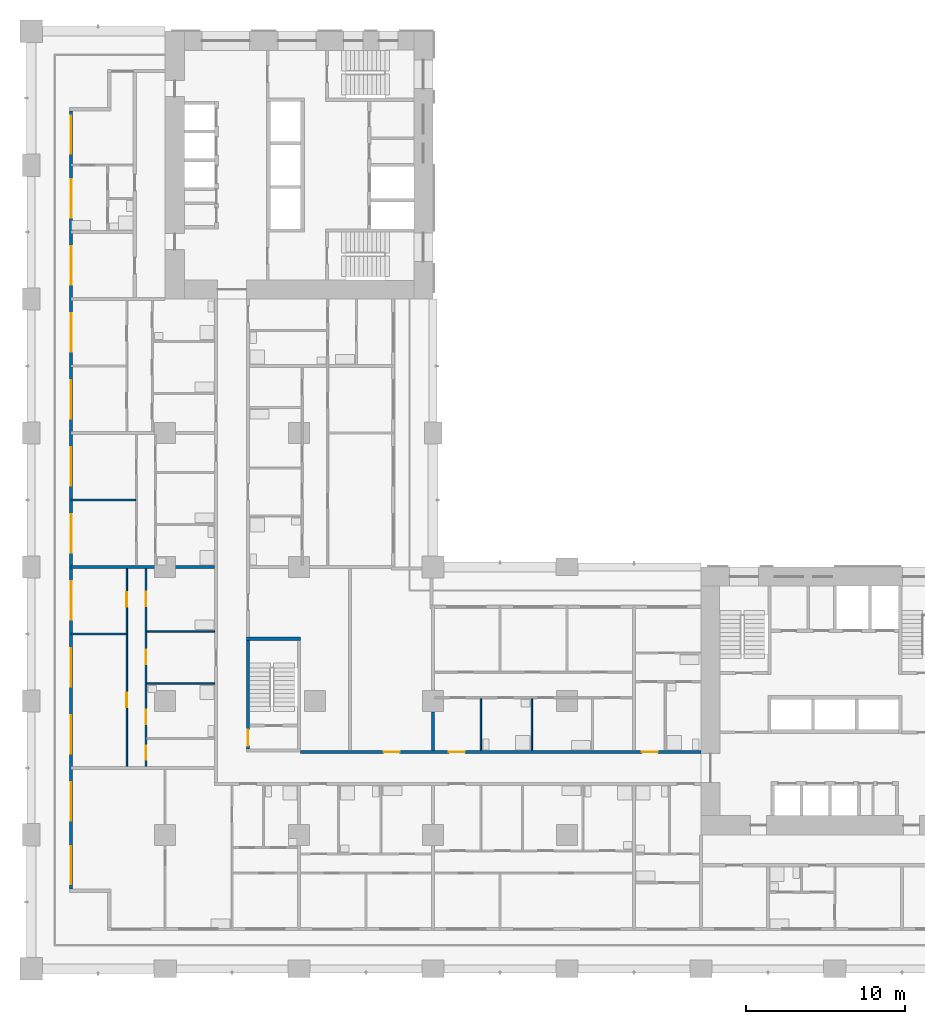
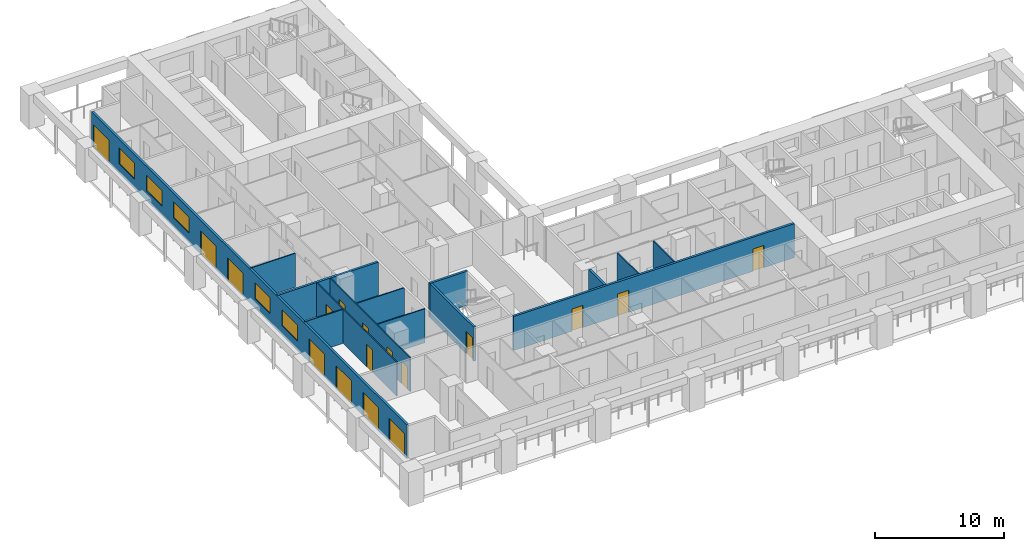
# One storey, part 3 of 19: 17 doors, 14 walls, 5 windows, 22 openings.
"""IFC4 building model written with IfcOpenShell, lengths in metres."""

from ifc_helpers import new_model, si_unit, direction, frame, frame_2d, origin, place, context, subcontext, project, spatial, rectangle, extrude, material, layer, layer_set, type_object, element, fill, save


model = new_model("IFC4")

# Units and contexts
model_context = context("Model", 3, precision=1e-05, world=origin(), true_north=direction((0.0, 1.0)))
body_context = subcontext(model_context, "Body", "Model", "MODEL_VIEW")
ifc_project = project(units=[si_unit("LENGTHUNIT", "METRE"), si_unit("AREAUNIT", "SQUARE_METRE"), si_unit("VOLUMEUNIT", "CUBIC_METRE"), si_unit("PLANEANGLEUNIT", "RADIAN"), si_unit("MASSUNIT", "GRAM", prefix="KILO")], contexts=[model_context])

# Site, building, storey
site_placement = place(None, origin())
site = spatial("IfcSite", under=ifc_project, at=site_placement, CompositionType="ELEMENT")
building_placement = place(site_placement, origin())
building = spatial("IfcBuilding", under=site, at=building_placement, Name="Vermilion Gate Residences", CompositionType="ELEMENT")
storey_placement = place(building_placement, frame((0.0, 0.0, 46.199951171875)))
storey = spatial("IfcBuildingStorey", under=building, at=storey_placement, Name="L10", CompositionType="ELEMENT", Elevation=46.199951171875)

# Wall, openings, doors, windows
ifc_material_1 = material(Name="Insulated steel stud wall with terracotta rainscreen", Category="masonry")
ifc_layer_1 = layer(ifc_material_1, 0.199951171875)
ifc_layer_set_1 = layer_set([ifc_layer_1], Name="EXTERNAL WALL 200 TERRACOTTA RAINSCREEN")
wall_type_1 = type_object("IfcWallType", Name="EXTERNAL WALL 200 TERRACOTTA RAINSCREEN", PredefinedType="SOLIDWALL", material=ifc_layer_set_1)
wall_1_placement = place(storey_placement, frame((2.5, 53.800048828125, 0.0), z_axis=(0.0, 0.0, 1.0), x_axis=(0.0, -1.0, 0.0)))
wall_1 = element("IfcWall", 1, at=wall_1_placement, inside=storey, type_object=wall_type_1, Name="External wall", PredefinedType="SOLIDWALL", context=body_context, shape_type="SweptSolid", body=[
    extrude(rectangle(XDim=48.800048828125, YDim=0.199951171875, at=frame_2d((24.39990234375, 0.0))), origin(), (0.0, 0.0, 1.0), 3.219970703125),
])
opening_1_placement = place(wall_1_placement, frame((46.10009765625, 0.0, 0.0)))
opening_1 = element("IfcOpeningElement", 2, at=opening_1_placement, cuts=wall_1, Name="Opening DE10002", PredefinedType="OPENING", context=body_context, shape_type="SweptSolid", body=[
    extrude(rectangle(XDim=2.39990234375, YDim=2.199951171875, at=frame_2d((1.199951171875, 1.10009765625))), frame((0.0, 0.10986328125, 0.0), z_axis=(0.0, -1.0, 0.0), x_axis=(1.0, 0.0, 0.0)), (0.0, 0.0, 1.0), 0.219970703125),
])
opening_2_placement = place(wall_1_placement, frame((42.10009765625, 0.0, 0.0)))
opening_2 = element("IfcOpeningElement", 3, at=opening_2_placement, cuts=wall_1, Name="Opening DE10003", PredefinedType="OPENING", context=body_context, shape_type="SweptSolid", body=[
    extrude(rectangle(XDim=2.39990234375, YDim=2.199951171875, at=frame_2d((1.199951171875, 1.10009765625))), frame((0.0, 0.10986328125, 0.0), z_axis=(0.0, -1.0, 0.0), x_axis=(1.0, 0.0, 0.0)), (0.0, 0.0, 1.0), 0.219970703125),
])
opening_3_placement = place(wall_1_placement, frame((37.89990234375, 0.0, 0.0)))
opening_3 = element("IfcOpeningElement", 4, at=opening_3_placement, cuts=wall_1, Name="Opening DE10004", PredefinedType="OPENING", context=body_context, shape_type="SweptSolid", body=[
    extrude(rectangle(XDim=2.39990234375, YDim=2.199951171875, at=frame_2d((1.199951171875, 1.10009765625))), frame((0.0, 0.10986328125, 0.0), z_axis=(0.0, -1.0, 0.0), x_axis=(1.0, 0.0, 0.0)), (0.0, 0.0, 1.0), 0.219970703125),
])
opening_4_placement = place(wall_1_placement, frame((33.699951171875, 0.0, 0.0)))
opening_4 = element("IfcOpeningElement", 5, at=opening_4_placement, cuts=wall_1, Name="Opening DE10005", PredefinedType="OPENING", context=body_context, shape_type="SweptSolid", body=[
    extrude(rectangle(XDim=2.39990234375, YDim=2.199951171875, at=frame_2d((1.199951171875, 1.10009765625))), frame((0.0, 0.10986328125, 0.0), z_axis=(0.0, -1.0, 0.0), x_axis=(1.0, 0.0, 0.0)), (0.0, 0.0, 1.0), 0.219970703125),
])
opening_5_placement = place(wall_1_placement, frame((29.5, 0.0, 0.89990234375)))
opening_5 = element("IfcOpeningElement", 6, at=opening_5_placement, cuts=wall_1, Name="Opening WE10006", PredefinedType="OPENING", context=body_context, shape_type="SweptSolid", body=[
    extrude(rectangle(XDim=2.39990234375, YDim=1.5, at=frame_2d((1.199951171875, 0.75))), frame((0.0, 0.10986328125, 0.0), z_axis=(0.0, -1.0, 0.0), x_axis=(1.0, 0.0, 0.0)), (0.0, 0.0, 1.0), 0.219970703125),
])
opening_6_placement = place(wall_1_placement, frame((25.300048828125, 0.0, 0.89990234375)))
opening_6 = element("IfcOpeningElement", 7, at=opening_6_placement, cuts=wall_1, Name="Opening WE10007", PredefinedType="OPENING", context=body_context, shape_type="SweptSolid", body=[
    extrude(rectangle(XDim=2.39990234375, YDim=1.5, at=frame_2d((1.199951171875, 0.75))), frame((0.0, 0.10986328125, 0.0), z_axis=(0.0, -1.0, 0.0), x_axis=(1.0, 0.0, 0.0)), (0.0, 0.0, 1.0), 0.219970703125),
])
opening_7_placement = place(wall_1_placement, frame((21.10009765625, 0.0, 0.0)))
opening_7 = element("IfcOpeningElement", 8, at=opening_7_placement, cuts=wall_1, Name="Opening DE10008", PredefinedType="OPENING", context=body_context, shape_type="SweptSolid", body=[
    extrude(rectangle(XDim=2.39990234375, YDim=2.199951171875, at=frame_2d((1.199951171875, 1.10009765625))), frame((0.0, 0.10986328125, 0.0), z_axis=(0.0, -1.0, 0.0), x_axis=(1.0, 0.0, 0.0)), (0.0, 0.0, 1.0), 0.219970703125),
])
opening_8_placement = place(wall_1_placement, frame((16.89990234375, 0.0, 0.0)))
opening_8 = element("IfcOpeningElement", 9, at=opening_8_placement, cuts=wall_1, Name="Opening DE10009", PredefinedType="OPENING", context=body_context, shape_type="SweptSolid", body=[
    extrude(rectangle(XDim=2.39990234375, YDim=2.199951171875, at=frame_2d((1.199951171875, 1.10009765625))), frame((0.0, 0.10986328125, 0.0), z_axis=(0.0, -1.0, 0.0), x_axis=(1.0, 0.0, 0.0)), (0.0, 0.0, 1.0), 0.219970703125),
])
opening_9_placement = place(wall_1_placement, frame((12.699951171875, 0.0, 0.89990234375)))
opening_9 = element("IfcOpeningElement", 10, at=opening_9_placement, cuts=wall_1, Name="Opening WE10010", PredefinedType="OPENING", context=body_context, shape_type="SweptSolid", body=[
    extrude(rectangle(XDim=2.39990234375, YDim=1.5, at=frame_2d((1.199951171875, 0.75))), frame((0.0, 0.10986328125, 0.0), z_axis=(0.0, -1.0, 0.0), x_axis=(1.0, 0.0, 0.0)), (0.0, 0.0, 1.0), 0.219970703125),
])
opening_10_placement = place(wall_1_placement, frame((8.5, 0.0, 0.89990234375)))
opening_10 = element("IfcOpeningElement", 11, at=opening_10_placement, cuts=wall_1, Name="Opening WE10011", PredefinedType="OPENING", context=body_context, shape_type="SweptSolid", body=[
    extrude(rectangle(XDim=2.39990234375, YDim=1.5, at=frame_2d((1.199951171875, 0.75))), frame((0.0, 0.10986328125, 0.0), z_axis=(0.0, -1.0, 0.0), x_axis=(1.0, 0.0, 0.0)), (0.0, 0.0, 1.0), 0.219970703125),
])
opening_11_placement = place(wall_1_placement, frame((4.300048828125, 0.0, 0.89990234375)))
opening_11 = element("IfcOpeningElement", 12, at=opening_11_placement, cuts=wall_1, Name="Opening WE10012", PredefinedType="OPENING", context=body_context, shape_type="SweptSolid", body=[
    extrude(rectangle(XDim=2.39990234375, YDim=1.5, at=frame_2d((1.199951171875, 0.75))), frame((0.0, 0.10986328125, 0.0), z_axis=(0.0, -1.0, 0.0), x_axis=(1.0, 0.0, 0.0)), (0.0, 0.0, 1.0), 0.219970703125),
])
opening_12_placement = place(wall_1_placement, frame((0.300048828125, 0.0, 0.0)))
opening_12 = element("IfcOpeningElement", 13, at=opening_12_placement, cuts=wall_1, Name="Opening DE10013", PredefinedType="OPENING", context=body_context, shape_type="SweptSolid", body=[
    extrude(rectangle(XDim=2.39990234375, YDim=2.199951171875, at=frame_2d((1.199951171875, 1.10009765625))), frame((0.0, 0.10986328125, 0.0), z_axis=(0.0, -1.0, 0.0), x_axis=(1.0, 0.0, 0.0)), (0.0, 0.0, 1.0), 0.219970703125),
])
ifc_material_2 = material(Name="Aluminium and clear glass", Category="aluminium")
door_type_1 = type_object("IfcDoorType", Name="SLIDING GLAZED DOOR 2400 X 2200", OperationType="DOUBLE_DOOR_SLIDING", PredefinedType="DOOR", material=ifc_material_2)
door_1_placement = place(opening_1_placement, origin())
door_1 = element("IfcDoor", 14, at=door_1_placement, inside=storey, type_object=door_type_1, Name="Loggia sliding door", OperationType="DOUBLE_DOOR_SLIDING", OverallHeight=2.199951171875, OverallWidth=2.39990234375, PredefinedType="DOOR", context=body_context, shape_type="SweptSolid", body=[
    extrude(rectangle(XDim=2.39990234375, YDim=2.199951171875, at=frame_2d((1.199951171875, 1.10009765625))), frame((0.0, 0.02490234375, 0.0), z_axis=(0.0, -1.0, 0.0), x_axis=(1.0, 0.0, 0.0)), (0.0, 0.0, 1.0), 0.050048828125),
])
fill(opening_1, door_1)
door_2_placement = place(opening_2_placement, origin())
door_2 = element("IfcDoor", 15, at=door_2_placement, inside=storey, type_object=door_type_1, Name="Loggia sliding door", OperationType="DOUBLE_DOOR_SLIDING", OverallHeight=2.199951171875, OverallWidth=2.39990234375, PredefinedType="DOOR", context=body_context, shape_type="SweptSolid", body=[
    extrude(rectangle(XDim=2.39990234375, YDim=2.199951171875, at=frame_2d((1.199951171875, 1.10009765625))), frame((0.0, 0.02490234375, 0.0), z_axis=(0.0, -1.0, 0.0), x_axis=(1.0, 0.0, 0.0)), (0.0, 0.0, 1.0), 0.050048828125),
])
fill(opening_2, door_2)
door_3_placement = place(opening_3_placement, origin())
door_3 = element("IfcDoor", 16, at=door_3_placement, inside=storey, type_object=door_type_1, Name="Loggia sliding door", OperationType="DOUBLE_DOOR_SLIDING", OverallHeight=2.199951171875, OverallWidth=2.39990234375, PredefinedType="DOOR", context=body_context, shape_type="SweptSolid", body=[
    extrude(rectangle(XDim=2.39990234375, YDim=2.199951171875, at=frame_2d((1.199951171875, 1.10009765625))), frame((0.0, 0.02490234375, 0.0), z_axis=(0.0, -1.0, 0.0), x_axis=(1.0, 0.0, 0.0)), (0.0, 0.0, 1.0), 0.050048828125),
])
fill(opening_3, door_3)
door_4_placement = place(opening_4_placement, origin())
door_4 = element("IfcDoor", 17, at=door_4_placement, inside=storey, type_object=door_type_1, Name="Loggia sliding door", OperationType="DOUBLE_DOOR_SLIDING", OverallHeight=2.199951171875, OverallWidth=2.39990234375, PredefinedType="DOOR", context=body_context, shape_type="SweptSolid", body=[
    extrude(rectangle(XDim=2.39990234375, YDim=2.199951171875, at=frame_2d((1.199951171875, 1.10009765625))), frame((0.0, 0.02490234375, 0.0), z_axis=(0.0, -1.0, 0.0), x_axis=(1.0, 0.0, 0.0)), (0.0, 0.0, 1.0), 0.050048828125),
])
fill(opening_4, door_4)
door_5_placement = place(opening_7_placement, origin())
door_5 = element("IfcDoor", 18, at=door_5_placement, inside=storey, type_object=door_type_1, Name="Loggia sliding door", OperationType="DOUBLE_DOOR_SLIDING", OverallHeight=2.199951171875, OverallWidth=2.39990234375, PredefinedType="DOOR", context=body_context, shape_type="SweptSolid", body=[
    extrude(rectangle(XDim=2.39990234375, YDim=2.199951171875, at=frame_2d((1.199951171875, 1.10009765625))), frame((0.0, 0.02490234375, 0.0), z_axis=(0.0, -1.0, 0.0), x_axis=(1.0, 0.0, 0.0)), (0.0, 0.0, 1.0), 0.050048828125),
])
fill(opening_7, door_5)
door_6_placement = place(opening_8_placement, origin())
door_6 = element("IfcDoor", 19, at=door_6_placement, inside=storey, type_object=door_type_1, Name="Loggia sliding door", OperationType="DOUBLE_DOOR_SLIDING", OverallHeight=2.199951171875, OverallWidth=2.39990234375, PredefinedType="DOOR", context=body_context, shape_type="SweptSolid", body=[
    extrude(rectangle(XDim=2.39990234375, YDim=2.199951171875, at=frame_2d((1.199951171875, 1.10009765625))), frame((0.0, 0.02490234375, 0.0), z_axis=(0.0, -1.0, 0.0), x_axis=(1.0, 0.0, 0.0)), (0.0, 0.0, 1.0), 0.050048828125),
])
fill(opening_8, door_6)
door_7_placement = place(opening_12_placement, origin())
door_7 = element("IfcDoor", 20, at=door_7_placement, inside=storey, type_object=door_type_1, Name="Loggia sliding door", OperationType="DOUBLE_DOOR_SLIDING", OverallHeight=2.199951171875, OverallWidth=2.39990234375, PredefinedType="DOOR", context=body_context, shape_type="SweptSolid", body=[
    extrude(rectangle(XDim=2.39990234375, YDim=2.199951171875, at=frame_2d((1.199951171875, 1.10009765625))), frame((0.0, 0.02490234375, 0.0), z_axis=(0.0, -1.0, 0.0), x_axis=(1.0, 0.0, 0.0)), (0.0, 0.0, 1.0), 0.050048828125),
])
fill(opening_12, door_7)
ifc_material_3 = material(Name="Aluminium and clear glass", Category="aluminium")
window_type = type_object("IfcWindowType", Name="WINDOW 2400 X 1500", PartitioningType="SINGLE_PANEL", PredefinedType="WINDOW", material=ifc_material_3)
window_1_placement = place(opening_5_placement, origin())
window_1 = element("IfcWindow", 21, at=window_1_placement, inside=storey, type_object=window_type, Name="Window", OverallHeight=1.5, OverallWidth=2.39990234375, PartitioningType="SINGLE_PANEL", PredefinedType="WINDOW", context=body_context, shape_type="SweptSolid", body=[
    extrude(rectangle(XDim=2.39990234375, YDim=1.5, at=frame_2d((1.199951171875, 0.75))), frame((0.0, 0.030029296875, 0.0), z_axis=(0.0, -1.0, 0.0), x_axis=(1.0, 0.0, 0.0)), (0.0, 0.0, 1.0), 0.06005859375),
])
fill(opening_5, window_1)
window_2_placement = place(opening_6_placement, origin())
window_2 = element("IfcWindow", 22, at=window_2_placement, inside=storey, type_object=window_type, Name="Window", OverallHeight=1.5, OverallWidth=2.39990234375, PartitioningType="SINGLE_PANEL", PredefinedType="WINDOW", context=body_context, shape_type="SweptSolid", body=[
    extrude(rectangle(XDim=2.39990234375, YDim=1.5, at=frame_2d((1.199951171875, 0.75))), frame((0.0, 0.030029296875, 0.0), z_axis=(0.0, -1.0, 0.0), x_axis=(1.0, 0.0, 0.0)), (0.0, 0.0, 1.0), 0.06005859375),
])
fill(opening_6, window_2)
window_3_placement = place(opening_9_placement, origin())
window_3 = element("IfcWindow", 23, at=window_3_placement, inside=storey, type_object=window_type, Name="Window", OverallHeight=1.5, OverallWidth=2.39990234375, PartitioningType="SINGLE_PANEL", PredefinedType="WINDOW", context=body_context, shape_type="SweptSolid", body=[
    extrude(rectangle(XDim=2.39990234375, YDim=1.5, at=frame_2d((1.199951171875, 0.75))), frame((0.0, 0.030029296875, 0.0), z_axis=(0.0, -1.0, 0.0), x_axis=(1.0, 0.0, 0.0)), (0.0, 0.0, 1.0), 0.06005859375),
])
fill(opening_9, window_3)
window_4_placement = place(opening_10_placement, origin())
window_4 = element("IfcWindow", 24, at=window_4_placement, inside=storey, type_object=window_type, Name="Window", OverallHeight=1.5, OverallWidth=2.39990234375, PartitioningType="SINGLE_PANEL", PredefinedType="WINDOW", context=body_context, shape_type="SweptSolid", body=[
    extrude(rectangle(XDim=2.39990234375, YDim=1.5, at=frame_2d((1.199951171875, 0.75))), frame((0.0, 0.030029296875, 0.0), z_axis=(0.0, -1.0, 0.0), x_axis=(1.0, 0.0, 0.0)), (0.0, 0.0, 1.0), 0.06005859375),
])
fill(opening_10, window_4)
window_5_placement = place(opening_11_placement, origin())
window_5 = element("IfcWindow", 25, at=window_5_placement, inside=storey, type_object=window_type, Name="Window", OverallHeight=1.5, OverallWidth=2.39990234375, PartitioningType="SINGLE_PANEL", PredefinedType="WINDOW", context=body_context, shape_type="SweptSolid", body=[
    extrude(rectangle(XDim=2.39990234375, YDim=1.5, at=frame_2d((1.199951171875, 0.75))), frame((0.0, 0.030029296875, 0.0), z_axis=(0.0, -1.0, 0.0), x_axis=(1.0, 0.0, 0.0)), (0.0, 0.0, 1.0), 0.06005859375),
])
fill(opening_11, window_5)

# Walls
ifc_material_4 = material(Name="Plasterboard on steel studs", Category="steel")
ifc_layer_2 = layer(ifc_material_4, 0.10009765625)
ifc_layer_set_2 = layer_set([ifc_layer_2], Name="PARTITION 100")
wall_type_2 = type_object("IfcWallType", Name="PARTITION 100", PredefinedType="PARTITIONING", material=ifc_layer_set_2)
wall_2_placement = place(storey_placement, frame((7.25, 17.89990234375, 0.0), z_axis=(0.0, 0.0, 1.0), x_axis=(1.0, 0.0, 0.0)))
element("IfcWall", 26, at=wall_2_placement, inside=storey, type_object=wall_type_2, Name="Partition", PredefinedType="PARTITIONING", context=body_context, shape_type="SweptSolid", body=[
    extrude(rectangle(XDim=4.25, YDim=0.10009765625, at=frame_2d((2.125, 0.0))), origin(), (0.0, 0.0, 1.0), 3.219970703125),
])
wall_3_placement = place(storey_placement, frame((2.5, 21.0, 0.0), z_axis=(0.0, 0.0, 1.0), x_axis=(1.0, 0.0, 0.0)))
element("IfcWall", 27, at=wall_3_placement, inside=storey, type_object=wall_type_2, Name="Partition", PredefinedType="PARTITIONING", context=body_context, shape_type="SweptSolid", body=[
    extrude(rectangle(XDim=3.449951171875, YDim=0.10009765625, at=frame_2d((1.72509765625, 0.0))), origin(), (0.0, 0.0, 1.0), 3.219970703125),
])
wall_4_placement = place(storey_placement, frame((7.25, 21.14990234375, 0.0), z_axis=(0.0, 0.0, 1.0), x_axis=(1.0, 0.0, 0.0)))
element("IfcWall", 28, at=wall_4_placement, inside=storey, type_object=wall_type_2, Name="Partition", PredefinedType="PARTITIONING", context=body_context, shape_type="SweptSolid", body=[
    extrude(rectangle(XDim=4.25, YDim=0.10009765625, at=frame_2d((2.125, 0.0))), origin(), (0.0, 0.0, 1.0), 3.219970703125),
])
wall_5_placement = place(storey_placement, frame((2.5, 29.39990234375, 0.0), z_axis=(0.0, 0.0, 1.0), x_axis=(1.0, 0.0, 0.0)))
element("IfcWall", 29, at=wall_5_placement, inside=storey, type_object=wall_type_2, Name="Partition", PredefinedType="PARTITIONING", context=body_context, shape_type="SweptSolid", body=[
    extrude(rectangle(XDim=4.050048828125, YDim=0.10009765625, at=frame_2d((2.02490234375, 0.0))), origin(), (0.0, 0.0, 1.0), 3.219970703125),
])

# Wall, openings, doors
wall_6_placement = place(storey_placement, frame((6.0, 12.699951171875, 0.0), z_axis=(0.0, 0.0, 1.0), x_axis=(0.0, 1.0, 0.0)))
wall_6 = element("IfcWall", 30, at=wall_6_placement, inside=storey, type_object=wall_type_2, Name="Partition", PredefinedType="PARTITIONING", context=body_context, shape_type="SweptSolid", body=[
    extrude(rectangle(XDim=12.400146484375, YDim=0.10009765625, at=frame_2d((6.2001953125, 0.0))), origin(), (0.0, 0.0, 1.0), 3.219970703125),
])
opening_13_placement = place(wall_6_placement, frame((3.699951171875, 0.0, 0.0)))
opening_13 = element("IfcOpeningElement", 31, at=opening_13_placement, cuts=wall_6, Name="Opening DA10045", PredefinedType="OPENING", context=body_context, shape_type="SweptSolid", body=[
    extrude(rectangle(XDim=0.89990234375, YDim=2.10009765625, at=frame_2d((0.449951171875, 1.050048828125))), frame((0.0, 0.06005859375, 0.0), z_axis=(0.0, -1.0, 0.0), x_axis=(1.0, 0.0, 0.0)), (0.0, 0.0, 1.0), 0.1201171875),
])
opening_14_placement = place(wall_6_placement, frame((10.0, 0.0, 0.0)))
opening_14 = element("IfcOpeningElement", 32, at=opening_14_placement, cuts=wall_6, Name="Opening DA10046", PredefinedType="OPENING", context=body_context, shape_type="SweptSolid", body=[
    extrude(rectangle(XDim=0.89990234375, YDim=2.10009765625, at=frame_2d((0.449951171875, 1.050048828125))), frame((0.0, 0.06005859375, 0.0), z_axis=(0.0, -1.0, 0.0), x_axis=(1.0, 0.0, 0.0)), (0.0, 0.0, 1.0), 0.1201171875),
])
ifc_material_5 = material(Name="Timber", Category="wood")
door_type_2 = type_object("IfcDoorType", Name="INTERIOR DOOR 900 X 2100", OperationType="SINGLE_SWING_LEFT", PredefinedType="DOOR", material=ifc_material_5)
door_8_placement = place(opening_13_placement, origin())
door_8 = element("IfcDoor", 33, at=door_8_placement, inside=storey, type_object=door_type_2, Name="Interior door", OperationType="SINGLE_SWING_LEFT", OverallHeight=2.10009765625, OverallWidth=0.89990234375, PredefinedType="DOOR", context=body_context, shape_type="SweptSolid", body=[
    extrude(rectangle(XDim=0.89990234375, YDim=2.10009765625, at=frame_2d((0.449951171875, 1.050048828125))), frame((0.0, 0.02490234375, 0.0), z_axis=(0.0, -1.0, 0.0), x_axis=(1.0, 0.0, 0.0)), (0.0, 0.0, 1.0), 0.050048828125),
])
fill(opening_13, door_8)
door_9_placement = place(opening_14_placement, origin())
door_9 = element("IfcDoor", 34, at=door_9_placement, inside=storey, type_object=door_type_2, Name="Interior door", OperationType="SINGLE_SWING_RIGHT", OverallHeight=2.10009765625, OverallWidth=0.89990234375, PredefinedType="DOOR", context=body_context, shape_type="SweptSolid", body=[
    extrude(rectangle(XDim=0.89990234375, YDim=2.10009765625, at=frame_2d((0.449951171875, 1.050048828125))), frame((0.0, 0.02490234375, 0.0), z_axis=(0.0, -1.0, 0.0), x_axis=(1.0, 0.0, 0.0)), (0.0, 0.0, 1.0), 0.050048828125),
])
fill(opening_14, door_9)

wall_7_placement = place(storey_placement, frame((7.199951171875, 12.699951171875, 0.0), z_axis=(0.0, 0.0, 1.0), x_axis=(0.0, 1.0, 0.0)))
wall_7 = element("IfcWall", 35, at=wall_7_placement, inside=storey, type_object=wall_type_2, Name="Partition", PredefinedType="PARTITIONING", context=body_context, shape_type="SweptSolid", body=[
    extrude(rectangle(XDim=12.400146484375, YDim=0.10009765625, at=frame_2d((6.2001953125, 0.0))), origin(), (0.0, 0.0, 1.0), 3.219970703125),
])
opening_15_placement = place(wall_7_placement, frame((6.39990234375, 0.0, 0.0)))
opening_15 = element("IfcOpeningElement", 36, at=opening_15_placement, cuts=wall_7, Name="Opening DA10053", PredefinedType="OPENING", context=body_context, shape_type="SweptSolid", body=[
    extrude(rectangle(XDim=0.89990234375, YDim=2.10009765625, at=frame_2d((0.449951171875, 1.050048828125))), frame((0.0, 0.06005859375, 0.0), z_axis=(0.0, -1.0, 0.0), x_axis=(1.0, 0.0, 0.0)), (0.0, 0.0, 1.0), 0.1201171875),
])
opening_16_placement = place(wall_7_placement, frame((0.39990234375, 0.0, 0.0)))
opening_16 = element("IfcOpeningElement", 37, at=opening_16_placement, cuts=wall_7, Name="Opening DA10054", PredefinedType="OPENING", context=body_context, shape_type="SweptSolid", body=[
    extrude(rectangle(XDim=0.89990234375, YDim=2.10009765625, at=frame_2d((0.449951171875, 1.050048828125))), frame((0.0, 0.06005859375, 0.0), z_axis=(0.0, -1.0, 0.0), x_axis=(1.0, 0.0, 0.0)), (0.0, 0.0, 1.0), 0.1201171875),
])
opening_17_placement = place(wall_7_placement, frame((2.64990234375, 0.0, 0.0)))
opening_17 = element("IfcOpeningElement", 38, at=opening_17_placement, cuts=wall_7, Name="Opening DA10055", PredefinedType="OPENING", context=body_context, shape_type="SweptSolid", body=[
    extrude(rectangle(XDim=0.89990234375, YDim=2.10009765625, at=frame_2d((0.449951171875, 1.050048828125))), frame((0.0, 0.06005859375, 0.0), z_axis=(0.0, -1.0, 0.0), x_axis=(1.0, 0.0, 0.0)), (0.0, 0.0, 1.0), 0.1201171875),
])
opening_18_placement = place(wall_7_placement, frame((10.050048828125, 0.0, 0.0)))
opening_18 = element("IfcOpeningElement", 39, at=opening_18_placement, cuts=wall_7, Name="Opening DA10056", PredefinedType="OPENING", context=body_context, shape_type="SweptSolid", body=[
    extrude(rectangle(XDim=0.89990234375, YDim=2.10009765625, at=frame_2d((0.449951171875, 1.050048828125))), frame((0.0, 0.06005859375, 0.0), z_axis=(0.0, -1.0, 0.0), x_axis=(1.0, 0.0, 0.0)), (0.0, 0.0, 1.0), 0.1201171875),
])
door_10_placement = place(opening_15_placement, frame((0.89990234375, 0.0, 0.0), z_axis=(0.0, 0.0, 1.0), x_axis=(-1.0, 0.0, 0.0)))
door_10 = element("IfcDoor", 40, at=door_10_placement, inside=storey, type_object=door_type_2, Name="Interior door", OperationType="SINGLE_SWING_LEFT", OverallHeight=2.10009765625, OverallWidth=0.89990234375, PredefinedType="DOOR", context=body_context, shape_type="SweptSolid", body=[
    extrude(rectangle(XDim=0.89990234375, YDim=2.10009765625, at=frame_2d((0.449951171875, 1.050048828125))), frame((0.0, 0.02490234375, 0.0), z_axis=(0.0, -1.0, 0.0), x_axis=(1.0, 0.0, 0.0)), (0.0, 0.0, 1.0), 0.050048828125),
])
fill(opening_15, door_10)
door_11_placement = place(opening_16_placement, frame((0.89990234375, 0.0, 0.0), z_axis=(0.0, 0.0, 1.0), x_axis=(-1.0, 0.0, 0.0)))
door_11 = element("IfcDoor", 41, at=door_11_placement, inside=storey, type_object=door_type_2, Name="Interior door", OperationType="SINGLE_SWING_LEFT", OverallHeight=2.10009765625, OverallWidth=0.89990234375, PredefinedType="DOOR", context=body_context, shape_type="SweptSolid", body=[
    extrude(rectangle(XDim=0.89990234375, YDim=2.10009765625, at=frame_2d((0.449951171875, 1.050048828125))), frame((0.0, 0.02490234375, 0.0), z_axis=(0.0, -1.0, 0.0), x_axis=(1.0, 0.0, 0.0)), (0.0, 0.0, 1.0), 0.050048828125),
])
fill(opening_16, door_11)
door_12_placement = place(opening_17_placement, frame((0.89990234375, 0.0, 0.0), z_axis=(0.0, 0.0, 1.0), x_axis=(-1.0, 0.0, 0.0)))
door_12 = element("IfcDoor", 42, at=door_12_placement, inside=storey, type_object=door_type_2, Name="Interior door", OperationType="SINGLE_SWING_RIGHT", OverallHeight=2.10009765625, OverallWidth=0.89990234375, PredefinedType="DOOR", context=body_context, shape_type="SweptSolid", body=[
    extrude(rectangle(XDim=0.89990234375, YDim=2.10009765625, at=frame_2d((0.449951171875, 1.050048828125))), frame((0.0, 0.02490234375, 0.0), z_axis=(0.0, -1.0, 0.0), x_axis=(1.0, 0.0, 0.0)), (0.0, 0.0, 1.0), 0.050048828125),
])
fill(opening_17, door_12)
door_13_placement = place(opening_18_placement, frame((0.89990234375, 0.0, 0.0), z_axis=(0.0, 0.0, 1.0), x_axis=(-1.0, 0.0, 0.0)))
door_13 = element("IfcDoor", 43, at=door_13_placement, inside=storey, type_object=door_type_2, Name="Interior door", OperationType="SINGLE_SWING_LEFT", OverallHeight=2.10009765625, OverallWidth=0.89990234375, PredefinedType="DOOR", context=body_context, shape_type="SweptSolid", body=[
    extrude(rectangle(XDim=0.89990234375, YDim=2.10009765625, at=frame_2d((0.449951171875, 1.050048828125))), frame((0.0, 0.02490234375, 0.0), z_axis=(0.0, -1.0, 0.0), x_axis=(1.0, 0.0, 0.0)), (0.0, 0.0, 1.0), 0.050048828125),
])
fill(opening_18, door_13)

# Walls
for number, where, z_axis, x_axis, name in (
    (44, (28.199951171875, 13.699951171875, 0.0), (0.0, 0.0, 1.0), (0.0, 1.0, 0.0), "Partition"),
    (45, (31.39990234375, 13.699951171875, 0.0), (0.0, 0.0, 1.0), (0.0, 1.0, 0.0), "Partition"),
):
    element("IfcWall", number, at=place(storey_placement, frame(where, z_axis=z_axis, x_axis=x_axis)), inside=storey, type_object=wall_type_2, Name=name, PredefinedType="PARTITIONING", context=body_context, shape_type="SweptSolid", body=[
        extrude(rectangle(XDim=3.25, YDim=0.10009765625, at=frame_2d((1.625, 0.0))), origin(), (0.0, 0.0, 1.0), 3.219970703125),
    ])

# Wall, openings, doors
ifc_material_6 = material(Name="Fire-rated plasterboard on steel studs", Category="steel")
ifc_layer_3 = layer(ifc_material_6, 0.199951171875)
ifc_layer_set_3 = layer_set([ifc_layer_3], Name="PARTY WALL 200 EI 120")
wall_type_3 = type_object("IfcWallType", Name="PARTY WALL 200 EI 120", PredefinedType="PARTITIONING", material=ifc_layer_set_3)
wall_8_placement = place(storey_placement, frame((16.89990234375, 13.60009765625, 0.0), z_axis=(0.0, 0.0, 1.0), x_axis=(1.0, 0.0, 0.0)))
wall_8 = element("IfcWall", 46, at=wall_8_placement, inside=storey, type_object=wall_type_3, Name="Party and corridor wall", PredefinedType="PARTITIONING", context=body_context, shape_type="SweptSolid", body=[
    extrude(rectangle(XDim=25.10009765625, YDim=0.199951171875, at=frame_2d((12.550048828125, 0.0))), origin(), (0.0, 0.0, 1.0), 3.219970703125),
])
opening_19_placement = place(wall_8_placement, frame((9.300048828125, 0.0, 0.0)))
opening_19 = element("IfcOpeningElement", 47, at=opening_19_placement, cuts=wall_8, Name="Opening DA10028", PredefinedType="OPENING", context=body_context, shape_type="SweptSolid", body=[
    extrude(rectangle(XDim=1.0, YDim=2.10009765625, at=frame_2d((0.5, 1.050048828125))), frame((0.0, 0.10986328125, 0.0), z_axis=(0.0, -1.0, 0.0), x_axis=(1.0, 0.0, 0.0)), (0.0, 0.0, 1.0), 0.219970703125),
])
opening_20_placement = place(wall_8_placement, frame((21.39990234375, 0.0, 0.0)))
opening_20 = element("IfcOpeningElement", 48, at=opening_20_placement, cuts=wall_8, Name="Opening DA10029", PredefinedType="OPENING", context=body_context, shape_type="SweptSolid", body=[
    extrude(rectangle(XDim=1.0, YDim=2.10009765625, at=frame_2d((0.5, 1.050048828125))), frame((0.0, 0.10986328125, 0.0), z_axis=(0.0, -1.0, 0.0), x_axis=(1.0, 0.0, 0.0)), (0.0, 0.0, 1.0), 0.219970703125),
])
opening_21_placement = place(wall_8_placement, frame((5.199951171875, 0.0, 0.0)))
opening_21 = element("IfcOpeningElement", 49, at=opening_21_placement, cuts=wall_8, Name="Opening DA10030", PredefinedType="OPENING", context=body_context, shape_type="SweptSolid", body=[
    extrude(rectangle(XDim=1.0, YDim=2.10009765625, at=frame_2d((0.5, 1.050048828125))), frame((0.0, 0.10986328125, 0.0), z_axis=(0.0, -1.0, 0.0), x_axis=(1.0, 0.0, 0.0)), (0.0, 0.0, 1.0), 0.219970703125),
])
ifc_material_7 = material(Name="Steel", Category="steel")
door_type_3 = type_object("IfcDoorType", Name="ENTRANCE DOOR 1000 X 2100 FD30", OperationType="SINGLE_SWING_LEFT", PredefinedType="DOOR", material=ifc_material_7)
door_14_placement = place(opening_19_placement, origin())
door_14 = element("IfcDoor", 50, at=door_14_placement, inside=storey, type_object=door_type_3, Name="Entrance door", OperationType="SINGLE_SWING_LEFT", OverallHeight=2.10009765625, OverallWidth=1.0, PredefinedType="DOOR", context=body_context, shape_type="SweptSolid", body=[
    extrude(rectangle(XDim=1.0, YDim=2.10009765625, at=frame_2d((0.5, 1.050048828125))), frame((0.0, 0.02490234375, 0.0), z_axis=(0.0, -1.0, 0.0), x_axis=(1.0, 0.0, 0.0)), (0.0, 0.0, 1.0), 0.050048828125),
])
fill(opening_19, door_14)
door_15_placement = place(opening_20_placement, origin())
door_15 = element("IfcDoor", 51, at=door_15_placement, inside=storey, type_object=door_type_3, Name="Entrance door", OperationType="SINGLE_SWING_LEFT", OverallHeight=2.10009765625, OverallWidth=1.0, PredefinedType="DOOR", context=body_context, shape_type="SweptSolid", body=[
    extrude(rectangle(XDim=1.0, YDim=2.10009765625, at=frame_2d((0.5, 1.050048828125))), frame((0.0, 0.02490234375, 0.0), z_axis=(0.0, -1.0, 0.0), x_axis=(1.0, 0.0, 0.0)), (0.0, 0.0, 1.0), 0.050048828125),
])
fill(opening_20, door_15)
door_16_placement = place(opening_21_placement, origin())
door_16 = element("IfcDoor", 52, at=door_16_placement, inside=storey, type_object=door_type_3, Name="Entrance door", OperationType="SINGLE_SWING_LEFT", OverallHeight=2.10009765625, OverallWidth=1.0, PredefinedType="DOOR", context=body_context, shape_type="SweptSolid", body=[
    extrude(rectangle(XDim=1.0, YDim=2.10009765625, at=frame_2d((0.5, 1.050048828125))), frame((0.0, 0.02490234375, 0.0), z_axis=(0.0, -1.0, 0.0), x_axis=(1.0, 0.0, 0.0)), (0.0, 0.0, 1.0), 0.050048828125),
])
fill(opening_21, door_16)

# Walls
wall_9_placement = place(storey_placement, frame((2.5, 25.199951171875, 0.0), z_axis=(0.0, 0.0, 1.0), x_axis=(1.0, 0.0, 0.0)))
element("IfcWall", 53, at=wall_9_placement, inside=storey, type_object=wall_type_3, Name="Party and corridor wall", PredefinedType="PARTITIONING", context=body_context, shape_type="SweptSolid", body=[
    extrude(rectangle(XDim=9.0, YDim=0.199951171875, at=frame_2d((4.5, 0.0))), origin(), (0.0, 0.0, 1.0), 3.219970703125),
])
wall_10_placement = place(storey_placement, frame((25.199951171875, 13.699951171875, 0.0), z_axis=(0.0, 0.0, 1.0), x_axis=(0.0, 1.0, 0.0)))
element("IfcWall", 54, at=wall_10_placement, inside=storey, type_object=wall_type_3, Name="Party and corridor wall", PredefinedType="PARTITIONING", context=body_context, shape_type="SweptSolid", body=[
    extrude(rectangle(XDim=2.400146484375, YDim=0.199951171875, at=frame_2d((1.2001953125, 0.0))), origin(), (0.0, 0.0, 1.0), 3.219970703125),
])

# Wall, opening, door
ifc_material_8 = material(Name="Concrete C60", Category="concrete")
ifc_layer_4 = layer(ifc_material_8, 0.199951171875)
ifc_layer_set_4 = layer_set([ifc_layer_4], Name="RC CORE INTERNAL WALL 200 C60")
wall_type_4 = type_object("IfcWallType", Name="RC CORE INTERNAL WALL 200 C60", PredefinedType="SHEAR", material=ifc_layer_set_4)
wall_11_placement = place(storey_placement, frame((13.60009765625, 13.800048828125, 0.0), z_axis=(0.0, 0.0, 1.0), x_axis=(0.0, 1.0, 0.0)))
wall_11 = element("IfcWall", 55, at=wall_11_placement, inside=storey, type_object=wall_type_4, Name="Core internal wall C10-W", PredefinedType="SHEAR", context=body_context, shape_type="SweptSolid", body=[
    extrude(rectangle(XDim=6.800048828125, YDim=0.199951171875, at=frame_2d((3.39990234375, 0.0))), origin(), (0.0, 0.0, 1.0), 3.219970703125),
])
opening_22_placement = place(wall_11_placement, frame((0.199951171875, 0.0, 0.0)))
opening_22 = element("IfcOpeningElement", 56, at=opening_22_placement, cuts=wall_11, Name="Opening DK10201", PredefinedType="OPENING", context=body_context, shape_type="SweptSolid", body=[
    extrude(rectangle(XDim=1.0, YDim=2.10009765625, at=frame_2d((0.5, 1.050048828125))), frame((0.0, 0.10986328125, 0.0), z_axis=(0.0, -1.0, 0.0), x_axis=(1.0, 0.0, 0.0)), (0.0, 0.0, 1.0), 0.219970703125),
])
ifc_material_9 = material(Name="Steel", Category="steel")
door_type_4 = type_object("IfcDoorType", Name="FIRE DOOR FD60 1000 X 2100", OperationType="SINGLE_SWING_LEFT", PredefinedType="DOOR", material=ifc_material_9)
door_17_placement = place(opening_22_placement, frame((1.0, 0.0, 0.0), z_axis=(0.0, 0.0, 1.0), x_axis=(-1.0, 0.0, 0.0)))
door_17 = element("IfcDoor", 57, at=door_17_placement, inside=storey, type_object=door_type_4, Name="Stair vestibule door C10", OperationType="SINGLE_SWING_LEFT", OverallHeight=2.10009765625, OverallWidth=1.0, PredefinedType="DOOR", context=body_context, shape_type="SweptSolid", body=[
    extrude(rectangle(XDim=1.0, YDim=2.10009765625, at=frame_2d((0.5, 1.050048828125))), frame((0.0, 0.02490234375, 0.0), z_axis=(0.0, -1.0, 0.0), x_axis=(1.0, 0.0, 0.0)), (0.0, 0.0, 1.0), 0.050048828125),
])
fill(opening_22, door_17)

# Wall
wall_12_placement = place(storey_placement, frame((13.5, 20.699951171875, 0.0), z_axis=(0.0, 0.0, 1.0), x_axis=(1.0, 0.0, 0.0)))
element("IfcWall", 58, at=wall_12_placement, inside=storey, type_object=wall_type_4, Name="Core internal wall C10-N", PredefinedType="SHEAR", context=body_context, shape_type="SweptSolid", body=[
    extrude(rectangle(XDim=3.39990234375, YDim=0.199951171875, at=frame_2d((1.699951171875, 0.0))), origin(), (0.0, 0.0, 1.0), 3.219970703125),
])

save(model, "model.ifc")
